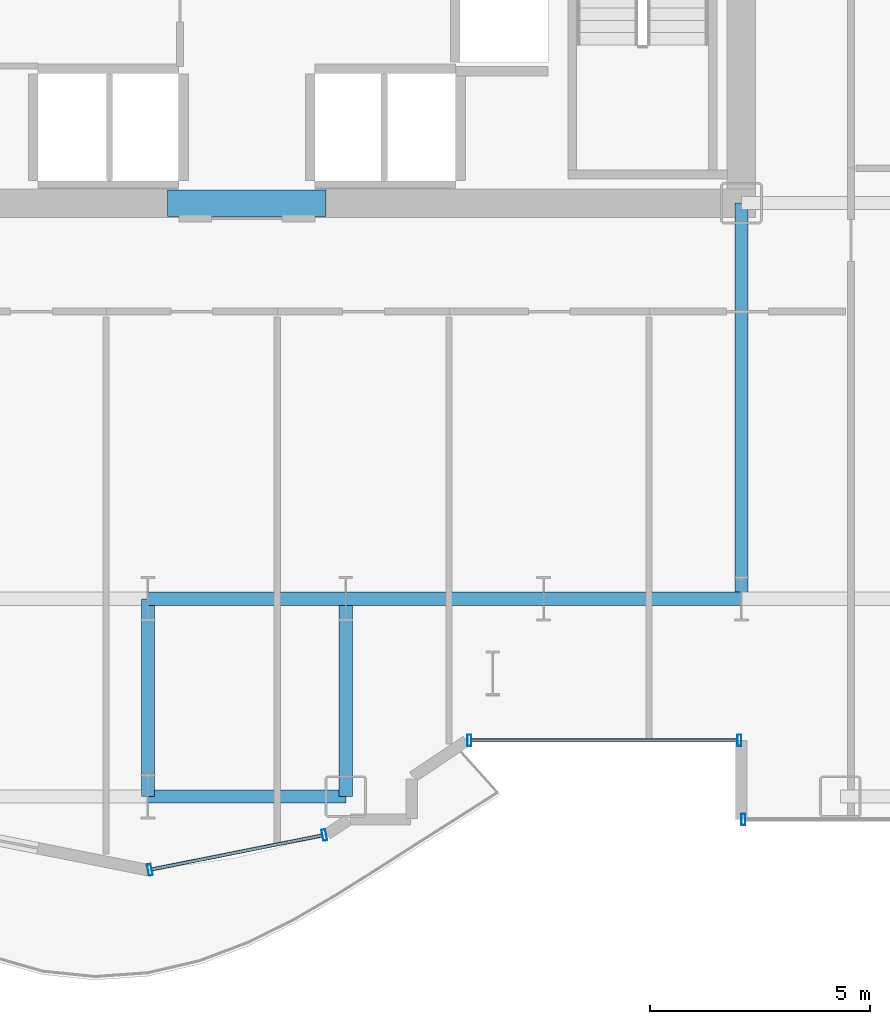
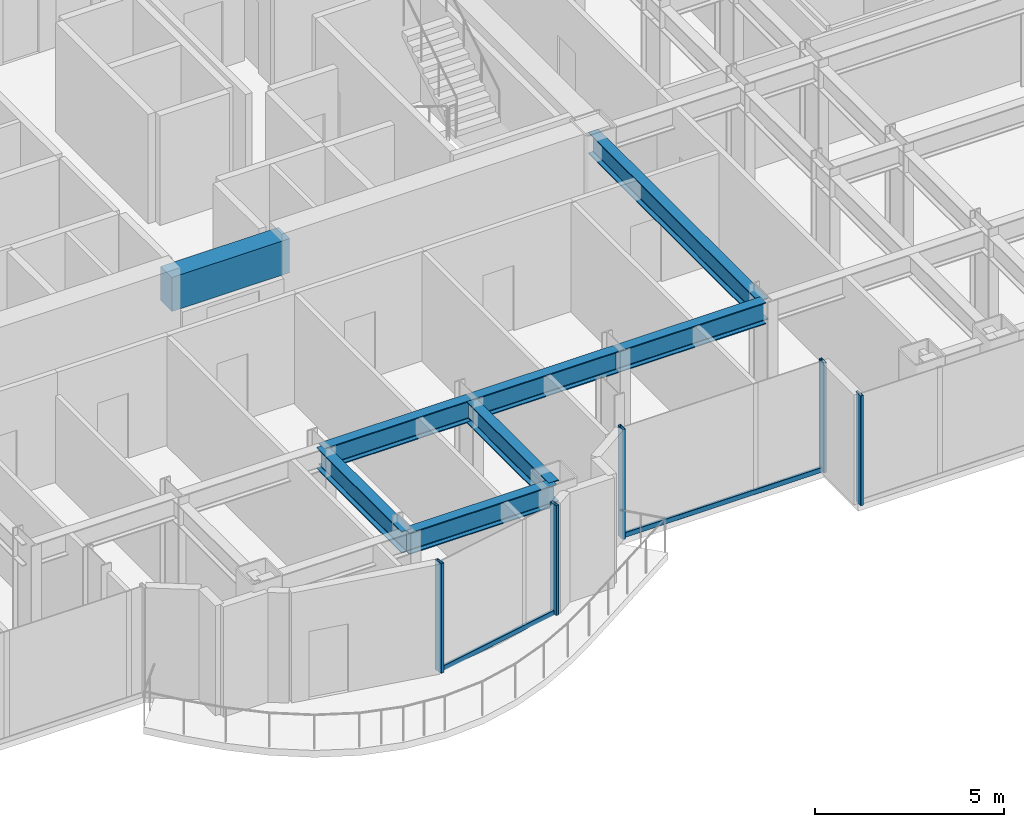
# One storey, part 8 of 29: 8 beams, 7 members, 3 elements without a shape of their own.
"""IFC4 building model written with IfcOpenShell, lengths in metres."""

from ifc_helpers import new_model, si_unit, direction, frame, origin, origin_2d, place, context, subcontext, project, spatial, rectangle, hollow_rectangle, i_section, extrude, source, transform, mapped, material, layer, layer_set, material_profile, profile_set, type_object, element, aggregate, save


model = new_model("IFC4")

# Units and contexts
model_context = context("Model", 3, precision=1e-05, world=origin(), true_north=direction((0.0, 1.0)))
body_context = subcontext(model_context, "Body", "Model", "MODEL_VIEW")
ifc_project = project(units=[si_unit("LENGTHUNIT", "METRE"), si_unit("AREAUNIT", "SQUARE_METRE"), si_unit("VOLUMEUNIT", "CUBIC_METRE"), si_unit("PLANEANGLEUNIT", "RADIAN"), si_unit("MASSUNIT", "GRAM", prefix="KILO")], contexts=[model_context])

# Site, building, storey
site_placement = place(None, origin())
site = spatial("IfcSite", under=ifc_project, at=site_placement, CompositionType="ELEMENT")
building_placement = place(site_placement, origin())
building = spatial("IfcBuilding", under=site, at=building_placement, Name="Nefas-Gora Pilgrimage Tower", CompositionType="ELEMENT")
storey_placement = place(building_placement, frame((0.0, 0.0, 78.60009765625)))
storey = spatial("IfcBuildingStorey", under=building, at=storey_placement, Name="L18", CompositionType="ELEMENT", Elevation=78.60009765625)

# Beams
ifc_material_1 = material(Name="Concrete C60/75", Category="concrete")
ifc_material_profile_1 = material_profile(ifc_material_1, rectangle(XDim=0.60009765625, YDim=1.10009765625, at=origin_2d()), Name="RC 600x1100")
ifc_profile_set_1 = profile_set([ifc_material_profile_1], Name="Concrete C60/75")
beam_type_1 = type_object("IfcBeamType", Name="BM-LIN-RC1100", PredefinedType="LINTEL", material=ifc_profile_set_1)
shared_shape_1 = source(origin(), body_context, "Body", "SweptSolid", [
    extrude(rectangle(XDim=0.60009765625, YDim=1.10009765625, at=origin_2d()), origin(), (0.0, 0.0, 1.0), 3.60009765625),
])
beam_1_placement = place(storey_placement, frame((-1.800048828125, -9.0, 3.0), z_axis=(1.0, 0.0, 0.0), x_axis=(0.0, 1.0, 0.0)))
element("IfcBeam", 1, at=beam_1_placement, inside=storey, type_object=beam_type_1, Name="L18 Core Coupling Lintel Beam S", PredefinedType="LINTEL", context=body_context, shape_type="MappedRepresentation", body=[
    mapped(shared_shape_1, transform((0.0, 0.0, 0.0), x_axis=(1.0, 0.0, 0.0), y_axis=(0.0, 1.0, 0.0), z_axis=(0.0, 0.0, 1.0), scale=1.0)),
])
ifc_material_2 = material(Name="Steel S355", Category="steel")
ifc_material_profile_2 = material_profile(ifc_material_2, i_section(OverallWidth=0.300048828125, OverallDepth=0.699951171875, WebThickness=0.01708984375, FlangeThickness=0.031982421875, FilletRadius=0.027099609375, at=origin_2d()), Name="HEB 700")
ifc_profile_set_2 = profile_set([ifc_material_profile_2], Name="Steel S355")
beam_type_2 = type_object("IfcBeamType", Name="BM-GIR-HEB700", PredefinedType="BEAM", material=ifc_profile_set_2)
shared_shape_2 = source(origin(), body_context, "Body", "SweptSolid", [
    extrude(i_section(OverallWidth=0.300048828125, OverallDepth=0.699951171875, WebThickness=0.01708984375, FlangeThickness=0.031982421875, FilletRadius=0.027099609375, at=origin_2d()), origin(), (0.0, 0.0, 1.0), 9.0),
])
beam_2_placement = place(storey_placement, frame((11.25, -18.0, 3.199951171875), z_axis=(0.0, 1.0, 0.0), x_axis=(-1.0, 0.0, 0.0)))
element("IfcBeam", 2, at=beam_2_placement, inside=storey, type_object=beam_type_2, Name="L18 G-02 beam", PredefinedType="BEAM", context=body_context, shape_type="MappedRepresentation", body=[
    mapped(shared_shape_2, transform((0.0, 0.0, 0.0), x_axis=(1.0, 0.0, 0.0), y_axis=(0.0, 1.0, 0.0), z_axis=(0.0, 0.0, 1.0), scale=1.0)),
])
shared_shape_3 = source(origin(), body_context, "Body", "SweptSolid", [
    extrude(i_section(OverallWidth=0.300048828125, OverallDepth=0.699951171875, WebThickness=0.01708984375, FlangeThickness=0.031982421875, FilletRadius=0.027099609375, at=origin_2d()), origin(), (0.0, 0.0, 1.0), 4.5),
])
for number, where, z_axis, x_axis, name in (
    (3, (-2.25, -22.5, 3.199951171875), (0.0, 1.0, 0.0), (-1.0, 0.0, 0.0), "L18 G-02 beam"),
    (4, (-2.25, -22.5, 3.199951171875), (1.0, 0.0, 0.0), (0.0, 1.0, 0.0), "L18 G-02 beam"),
    (5, (-2.25, -18.0, 3.199951171875), (1.0, 0.0, 0.0), (0.0, 1.0, 0.0), "L18 G-02 beam"),
    (6, (2.25, -22.5, 3.199951171875), (0.0, 1.0, 0.0), (-1.0, 0.0, 0.0), "L18 G-02 beam"),
    (7, (2.25, -18.0, 3.199951171875), (1.0, 0.0, 0.0), (0.0, 1.0, 0.0), "L18 G-02 beam"),
    (8, (6.75, -18.0, 3.199951171875), (1.0, 0.0, 0.0), (0.0, 1.0, 0.0), "L18 G-02 beam"),
):
    element("IfcBeam", number, at=place(storey_placement, frame(where, z_axis=z_axis, x_axis=x_axis)), inside=storey, type_object=beam_type_2, Name=name, PredefinedType="BEAM", context=body_context, shape_type="MappedRepresentation", body=[
        mapped(shared_shape_3, transform((0.0, 0.0, 0.0), x_axis=(1.0, 0.0, 0.0), y_axis=(0.0, 1.0, 0.0), z_axis=(0.0, 0.0, 1.0), scale=1.0)),
    ])

# Curtain wall, member
ifc_material_3 = material(Name="Dark ceramic-fritted solar-control aluminium-glass curtain wall", Category="aluminium")
ifc_layer_1 = layer(ifc_material_3, 0.219970703125)
ifc_layer_set_1 = layer_set([ifc_layer_1], Name="Dark ceramic-fritted solar-control aluminium-glass curtain wall")
curtain_wall_type_1 = type_object("IfcCurtainWallType", Name="CW-SYS-5", PredefinedType="NOTDEFINED", material=ifc_layer_set_1)
curtain_wall_1_placement = place(storey_placement, origin())
curtain_wall_1 = element("IfcCurtainWall", 9, at=curtain_wall_1_placement, inside=storey, type_object=curtain_wall_type_1, Name="L18 Unitised Curtain Wall CW5", PredefinedType="NOTDEFINED")
ifc_material_4 = material(Name="Anodised architectural aluminium", Category="aluminium")
ifc_material_profile_3 = material_profile(ifc_material_4, hollow_rectangle(XDim=0.080078125, YDim=0.159912109375, WallThickness=0.00439453125, InnerFilletRadius=0.00439453125, OuterFilletRadius=0.009033203125, at=origin_2d()), Name="ALU TRANSOM 80x160")
ifc_profile_set_3 = profile_set([ifc_material_profile_3], Name="Anodised architectural aluminium")
member_type_1 = type_object("IfcMemberType", Name="CWM-TRN-5", PredefinedType="USERDEFINED", material=ifc_profile_set_3)
shared_shape_4 = source(origin(), body_context, "Body", "SweptSolid", [
    extrude(hollow_rectangle(XDim=0.080078125, YDim=0.159912109375, WallThickness=0.00439453125, InnerFilletRadius=0.00439453125, OuterFilletRadius=0.009033203125, at=origin_2d()), origin(), (0.0, 0.0, 1.0), 6.052001953125),
])
member_1_placement = place(storey_placement, frame((5.10791015625, -21.219970703125, 0.0498046875), z_axis=(1.0, 0.0, 0.0), x_axis=(0.0, 1.0, 0.0)))
member_1 = element("IfcMember", 10, at=member_1_placement, type_object=member_type_1, Name="CW5 Spandrel Transom", ObjectType="TRANSOM", PredefinedType="USERDEFINED", context=body_context, shape_type="MappedRepresentation", body=[
    mapped(shared_shape_4, transform((0.0, 0.0, 0.0), x_axis=(1.0, 0.0, 0.0), y_axis=(0.0, 1.0, 0.0), z_axis=(0.0, 0.0, 1.0), scale=1.0)),
])

curtain_wall_2_placement = place(storey_placement, origin())
curtain_wall_2 = element("IfcCurtainWall", 11, at=curtain_wall_2_placement, inside=storey, type_object=curtain_wall_type_1, Name="L18 Unitised Curtain Wall CW5", PredefinedType="NOTDEFINED")
shared_shape_5 = source(origin(), body_context, "Body", "SweptSolid", [
    extrude(hollow_rectangle(XDim=0.080078125, YDim=0.159912109375, WallThickness=0.00439453125, InnerFilletRadius=0.00439453125, OuterFilletRadius=0.009033203125, at=origin_2d()), origin(), (0.0, 0.0, 1.0), 3.95654296875),
])
member_2_placement = place(storey_placement, frame((-2.16162109375, -24.15478515625, 0.0498046875), z_axis=(0.980781880918, 0.195107411605, 0.0), x_axis=(-0.195107411605, 0.980781880918, 0.0)))
member_2 = element("IfcMember", 12, at=member_2_placement, type_object=member_type_1, Name="CW5 Spandrel Transom", ObjectType="TRANSOM", PredefinedType="USERDEFINED", context=body_context, shape_type="MappedRepresentation", body=[
    mapped(shared_shape_5, transform((0.0, 0.0, 0.0), x_axis=(1.0, 0.0, 0.0), y_axis=(0.0, 1.0, 0.0), z_axis=(0.0, 0.0, 1.0), scale=1.0)),
])

# Member
ifc_material_profile_4 = material_profile(ifc_material_4, hollow_rectangle(XDim=0.090087890625, YDim=0.260009765625, WallThickness=0.006103515625, InnerFilletRadius=0.006103515625, OuterFilletRadius=0.011962890625, at=origin_2d()), Name="ALU MULLION 90x260")
ifc_profile_set_4 = profile_set([ifc_material_profile_4], Name="Anodised architectural aluminium")
member_type_2 = type_object("IfcMemberType", Name="CWM-MUL-5", PredefinedType="MULLION", material=ifc_profile_set_4)
shared_shape_6 = source(origin(), body_context, "Body", "SweptSolid", [
    extrude(hollow_rectangle(XDim=0.090087890625, YDim=0.260009765625, WallThickness=0.006103515625, InnerFilletRadius=0.006103515625, OuterFilletRadius=0.011962890625, at=origin_2d()), origin(), (0.0, 0.0, 1.0), 3.5498046875),
])
member_3_placement = place(storey_placement, frame((5.06298828125, -21.219970703125, 0.0), z_axis=(0.0, 0.0, 1.0), x_axis=(1.0, 0.0, 0.0)))
member_3 = element("IfcMember", 13, at=member_3_placement, type_object=member_type_2, Name="CW5 Mullion 1", PredefinedType="MULLION", context=body_context, shape_type="MappedRepresentation", body=[
    mapped(shared_shape_6, transform((0.0, 0.0, 0.0), x_axis=(1.0, 0.0, 0.0), y_axis=(0.0, 1.0, 0.0), z_axis=(0.0, 0.0, 1.0), scale=1.0)),
])

member_4_placement = place(storey_placement, frame((11.205078125, -21.219970703125, 0.0), z_axis=(0.0, 0.0, 1.0), x_axis=(1.0, 0.0, 0.0)))
member_4 = element("IfcMember", 14, at=member_4_placement, type_object=member_type_2, Name="CW5 Mullion 2", PredefinedType="MULLION", context=body_context, shape_type="MappedRepresentation", body=[
    mapped(shared_shape_6, transform((0.0, 0.0, 0.0), x_axis=(1.0, 0.0, 0.0), y_axis=(0.0, 1.0, 0.0), z_axis=(0.0, 0.0, 1.0), scale=1.0)),
])

aggregate(curtain_wall_1, [member_3, member_4, member_1])

member_5_placement = place(storey_placement, frame((-2.205810546875, -24.16357421875, 0.0), z_axis=(0.0, 0.0, 1.0), x_axis=(0.980782896852, 0.195102304554, 0.0)))
member_5 = element("IfcMember", 15, at=member_5_placement, type_object=member_type_2, Name="CW5 Mullion 1", PredefinedType="MULLION", context=body_context, shape_type="MappedRepresentation", body=[
    mapped(shared_shape_6, transform((0.0, 0.0, 0.0), x_axis=(1.0, 0.0, 0.0), y_axis=(0.0, 1.0, 0.0), z_axis=(0.0, 0.0, 1.0), scale=1.0)),
])

member_6_placement = place(storey_placement, frame((1.76318359375, -23.3740234375, 0.0), z_axis=(0.0, 0.0, 1.0), x_axis=(0.980782896852, 0.195102304554, 0.0)))
member_6 = element("IfcMember", 16, at=member_6_placement, type_object=member_type_2, Name="CW5 Mullion 2", PredefinedType="MULLION", context=body_context, shape_type="MappedRepresentation", body=[
    mapped(shared_shape_6, transform((0.0, 0.0, 0.0), x_axis=(1.0, 0.0, 0.0), y_axis=(0.0, 1.0, 0.0), z_axis=(0.0, 0.0, 1.0), scale=1.0)),
])

aggregate(curtain_wall_2, [member_5, member_6, member_2])

# Curtain wall, member
ifc_layer_2 = layer(ifc_material_3, 0.219970703125)
ifc_layer_set_2 = layer_set([ifc_layer_2], Name="Dark ceramic-fritted solar-control aluminium-glass curtain wall")
curtain_wall_type_2 = type_object("IfcCurtainWallType", Name="CW-SYS-2", PredefinedType="NOTDEFINED", material=ifc_layer_set_2)
curtain_wall_3_placement = place(storey_placement, origin())
curtain_wall_3 = element("IfcCurtainWall", 17, at=curtain_wall_3_placement, inside=storey, type_object=curtain_wall_type_2, Name="L18 Unitised Curtain Wall CW2", PredefinedType="NOTDEFINED")
ifc_material_profile_5 = material_profile(ifc_material_4, hollow_rectangle(XDim=0.090087890625, YDim=0.260009765625, WallThickness=0.006103515625, InnerFilletRadius=0.006103515625, OuterFilletRadius=0.011962890625, at=origin_2d()), Name="ALU MULLION 90x260")
ifc_profile_set_5 = profile_set([ifc_material_profile_5], Name="Anodised architectural aluminium")
member_type_3 = type_object("IfcMemberType", Name="CWM-MUL-2", PredefinedType="MULLION", material=ifc_profile_set_5)
shared_shape_7 = source(origin(), body_context, "Body", "SweptSolid", [
    extrude(hollow_rectangle(XDim=0.090087890625, YDim=0.260009765625, WallThickness=0.006103515625, InnerFilletRadius=0.006103515625, OuterFilletRadius=0.011962890625, at=origin_2d()), origin(), (0.0, 0.0, 1.0), 3.5498046875),
])
member_7_placement = place(storey_placement, frame((11.294921875, -23.02001953125, 0.0), z_axis=(0.0, 0.0, 1.0), x_axis=(1.0, 0.0, 0.0)))
member_7 = element("IfcMember", 18, at=member_7_placement, type_object=member_type_3, Name="CW2 Mullion 1", PredefinedType="MULLION", context=body_context, shape_type="MappedRepresentation", body=[
    mapped(shared_shape_7, transform((0.0, 0.0, 0.0), x_axis=(1.0, 0.0, 0.0), y_axis=(0.0, 1.0, 0.0), z_axis=(0.0, 0.0, 1.0), scale=1.0)),
])
aggregate(curtain_wall_3, [member_7])

save(model, "model.ifc")
